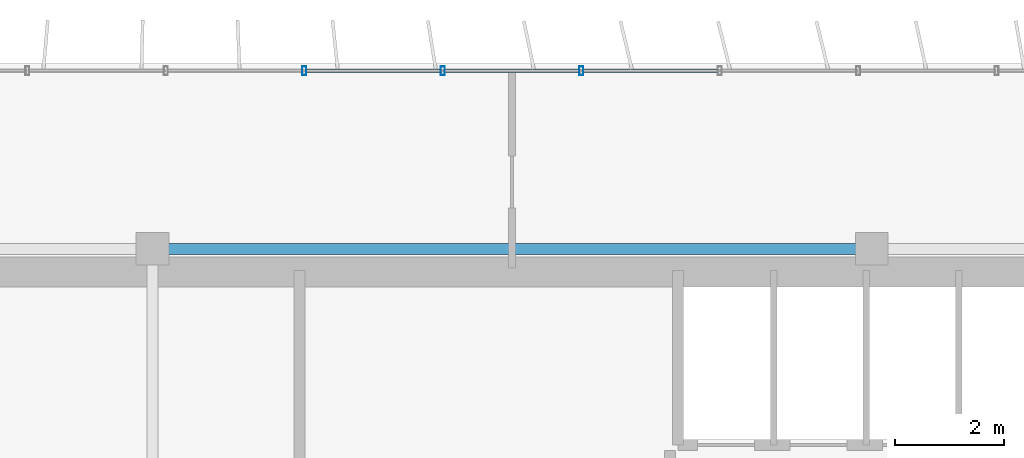
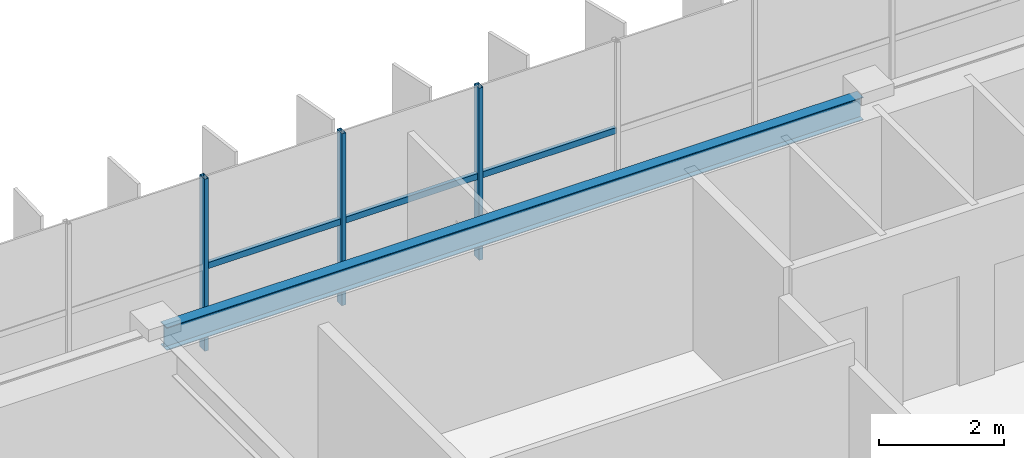
# One storey, part 9 of 21: 6 members, 1 beam, 1 element without a shape of its own.
"""IFC4 building model written with IfcOpenShell, lengths in metres."""

from ifc_helpers import new_model, si_unit, direction, frame, origin, origin_2d, place, context, subcontext, project, spatial, hollow_rectangle, i_section, extrude, source, transform, mapped, material, material_profile, profile_set, type_object, element, aggregate, save


model = new_model("IFC4")

# Units and contexts
model_context = context("Model", 3, precision=1e-05, world=origin(), true_north=direction((0.0, 1.0)))
body_context = subcontext(model_context, "Body", "Model", "MODEL_VIEW")
ifc_project = project(units=[si_unit("LENGTHUNIT", "METRE"), si_unit("AREAUNIT", "SQUARE_METRE"), si_unit("VOLUMEUNIT", "CUBIC_METRE"), si_unit("PLANEANGLEUNIT", "RADIAN"), si_unit("MASSUNIT", "GRAM", prefix="KILO")], contexts=[model_context])

# Site, building, storey
site_placement = place(None, origin())
site = spatial("IfcSite", under=ifc_project, at=site_placement, CompositionType="ELEMENT")
building_placement = place(site_placement, origin())
building = spatial("IfcBuilding", under=site, at=building_placement, Name="Trelvane Seafront Commons", CompositionType="ELEMENT")
storey_placement = place(building_placement, frame((0.0, 0.0, 255.89990234375)))
storey = spatial("IfcBuildingStorey", under=building, at=storey_placement, Name="L66", CompositionType="ELEMENT", Elevation=255.89990234375)

# Beam
ifc_material_1 = material(Name="Steel SM355 (S355)", Category="steel")
ifc_material_profile_1 = material_profile(ifc_material_1, i_section(OverallWidth=0.199951171875, OverallDepth=0.449951171875, WebThickness=0.009033203125, FlangeThickness=0.013916015625, at=origin_2d()), Name="H-450x200x9x14")
ifc_profile_set_1 = profile_set([ifc_material_profile_1], Name="Steel SM355 (S355)")
beam_type = type_object("IfcBeamType", Name="STR-SPD-H450", PredefinedType="SPANDREL", material=ifc_profile_set_1)
shared_shape_1 = source(origin(), body_context, "Body", "SweptSolid", [
    extrude(i_section(OverallWidth=0.199951171875, OverallDepth=0.449951171875, WebThickness=0.009033203125, FlangeThickness=0.013916015625, at=origin_2d()), origin(), (0.0, 0.0, 1.0), 12.89990234375),
])
beam_placement = place(storey_placement, frame((30.75, 45.10009765625, 3.14501953125), z_axis=(1.0, 0.0, 0.0), x_axis=(0.0, 1.0, 0.0)))
element("IfcBeam", 1, at=beam_placement, inside=storey, type_object=beam_type, Name="L66 Primary Girder G-25", PredefinedType="SPANDREL", context=body_context, shape_type="MappedRepresentation", body=[
    mapped(shared_shape_1, transform((0.0, 0.0, 0.0), x_axis=(1.0, 0.0, 0.0), y_axis=(0.0, 1.0, 0.0), z_axis=(0.0, 0.0, 1.0), scale=1.0)),
])

# Curtain wall, members
ifc_material_2 = material(Name="Anodised pale-silver aluminium", Category="aluminium")
curtain_wall_type = type_object("IfcCurtainWallType", Name="ARCH-CW5-UPTOWER", PredefinedType="NOTDEFINED", material=ifc_material_2)
curtain_wall_placement = place(storey_placement, origin())
curtain_wall = element("IfcCurtainWall", 2, at=curtain_wall_placement, inside=storey, type_object=curtain_wall_type, Name="CW-L66-0110", PredefinedType="NOTDEFINED")
ifc_material_profile_2 = material_profile(ifc_material_2, hollow_rectangle(XDim=0.070068359375, YDim=0.1201171875, WallThickness=0.00390625, at=origin_2d()), Name="TRAN-70x120x4")
ifc_profile_set_2 = profile_set([ifc_material_profile_2], Name="Anodised pale-silver aluminium")
member_type_1 = type_object("IfcMemberType", Name="ARCH-CW-TRAN-120", PredefinedType="USERDEFINED", material=ifc_profile_set_2)
shared_shape_2 = source(origin(), body_context, "Body", "SweptSolid", [
    extrude(hollow_rectangle(XDim=0.070068359375, YDim=0.1201171875, WallThickness=0.00390625, at=origin_2d()), origin(), (0.0, 0.0, 1.0), 2.51708984375),
])
member_1_placement = place(storey_placement, frame((35.94140625, 48.3701171875, 1.6181640625), z_axis=(1.0, 0.0, 0.0), x_axis=(0.0, 1.0, 0.0)))
member_1 = element("IfcMember", 3, at=member_1_placement, type_object=member_type_1, Name="CW-L66-0110-T08", ObjectType="TRANSOM", PredefinedType="USERDEFINED", context=body_context, shape_type="MappedRepresentation", body=[
    mapped(shared_shape_2, transform((0.0, 0.0, 0.0), x_axis=(1.0, 0.0, 0.0), y_axis=(0.0, 1.0, 0.0), z_axis=(0.0, 0.0, 1.0), scale=1.0)),
])
member_2_placement = place(storey_placement, frame((38.482666015625, 48.3701171875, 1.6181640625), z_axis=(1.0, 0.0, 0.0), x_axis=(0.0, 1.0, 0.0)))
member_2 = element("IfcMember", 4, at=member_2_placement, type_object=member_type_1, Name="CW-L66-0110-T09", ObjectType="TRANSOM", PredefinedType="USERDEFINED", context=body_context, shape_type="MappedRepresentation", body=[
    mapped(shared_shape_2, transform((0.0, 0.0, 0.0), x_axis=(1.0, 0.0, 0.0), y_axis=(0.0, 1.0, 0.0), z_axis=(0.0, 0.0, 1.0), scale=1.0)),
])
shared_shape_3 = source(origin(), body_context, "Body", "SweptSolid", [
    extrude(hollow_rectangle(XDim=0.070068359375, YDim=0.1201171875, WallThickness=0.00390625, at=origin_2d()), origin(), (0.0, 0.0, 1.0), 2.517333984375),
])
member_3_placement = place(storey_placement, frame((33.400146484375, 48.3701171875, 1.6181640625), z_axis=(1.0, 0.0, 0.0), x_axis=(0.0, 1.0, 0.0)))
member_3 = element("IfcMember", 5, at=member_3_placement, type_object=member_type_1, Name="CW-L66-0110-T07", ObjectType="TRANSOM", PredefinedType="USERDEFINED", context=body_context, shape_type="MappedRepresentation", body=[
    mapped(shared_shape_3, transform((0.0, 0.0, 0.0), x_axis=(1.0, 0.0, 0.0), y_axis=(0.0, 1.0, 0.0), z_axis=(0.0, 0.0, 1.0), scale=1.0)),
])
ifc_material_profile_3 = material_profile(ifc_material_2, hollow_rectangle(XDim=0.074951171875, YDim=0.159912109375, WallThickness=0.00390625, at=origin_2d()), Name="MULL-75x160x4")
ifc_profile_set_3 = profile_set([ifc_material_profile_3], Name="Anodised pale-silver aluminium")
member_type_2 = type_object("IfcMemberType", Name="ARCH-CW-MULL-160", PredefinedType="MULLION", material=ifc_profile_set_3)
shared_shape_4 = source(origin(), body_context, "Body", "SweptSolid", [
    extrude(hollow_rectangle(XDim=0.074951171875, YDim=0.159912109375, WallThickness=0.00390625, at=origin_2d()), origin(), (0.0, 0.0, 1.0), 3.3701171875),
])
member_4_placement = place(storey_placement, frame((33.38818359375, 48.3701171875, 0.0), z_axis=(0.0, 0.0, 1.0), x_axis=(1.0, 0.0, 0.0)))
member_4 = element("IfcMember", 6, at=member_4_placement, type_object=member_type_2, Name="CW-L66-0110-M07", PredefinedType="MULLION", context=body_context, shape_type="MappedRepresentation", body=[
    mapped(shared_shape_4, transform((0.0, 0.0, 0.0), x_axis=(1.0, 0.0, 0.0), y_axis=(0.0, 1.0, 0.0), z_axis=(0.0, 0.0, 1.0), scale=1.0)),
])
member_5_placement = place(storey_placement, frame((35.929443359375, 48.3701171875, 0.0), z_axis=(0.0, 0.0, 1.0), x_axis=(1.0, 0.0, 0.0)))
member_5 = element("IfcMember", 7, at=member_5_placement, type_object=member_type_2, Name="CW-L66-0110-M08", PredefinedType="MULLION", context=body_context, shape_type="MappedRepresentation", body=[
    mapped(shared_shape_4, transform((0.0, 0.0, 0.0), x_axis=(1.0, 0.0, 0.0), y_axis=(0.0, 1.0, 0.0), z_axis=(0.0, 0.0, 1.0), scale=1.0)),
])
member_6_placement = place(storey_placement, frame((38.470703125, 48.3701171875, 0.0), z_axis=(0.0, 0.0, 1.0), x_axis=(1.0, 0.0, 0.0)))
member_6 = element("IfcMember", 8, at=member_6_placement, type_object=member_type_2, Name="CW-L66-0110-M09", PredefinedType="MULLION", context=body_context, shape_type="MappedRepresentation", body=[
    mapped(shared_shape_4, transform((0.0, 0.0, 0.0), x_axis=(1.0, 0.0, 0.0), y_axis=(0.0, 1.0, 0.0), z_axis=(0.0, 0.0, 1.0), scale=1.0)),
])
aggregate(curtain_wall, [member_4, member_5, member_6, member_3, member_1, member_2])

save(model, "model.ifc")
